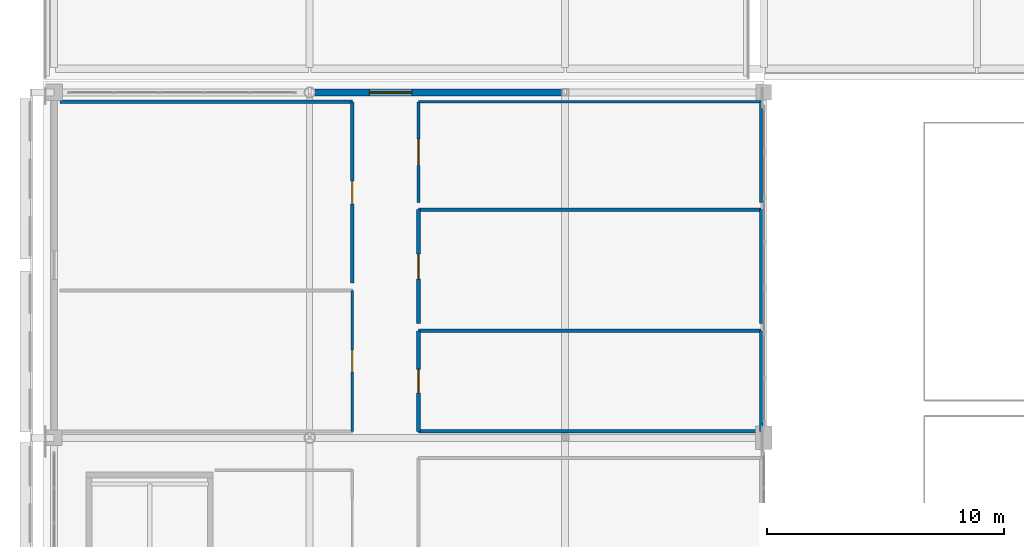
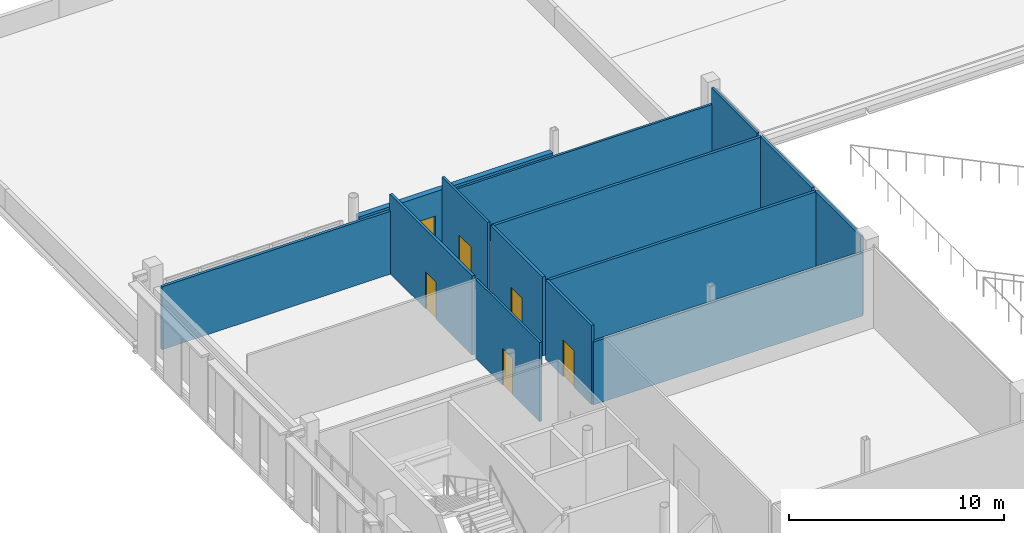
# One storey, part 68 of 104: 14 walls, 6 doors, 6 openings.
"""IFC4 building model written with IfcOpenShell, lengths in metres."""

import ifcopenshell
import ifcopenshell.guid

model = None  # the IFC model being written
_history = None  # IfcOwnerHistory: only IFC2X3 demands one
_inside = {}  # id of a spatial element -> (the spatial element, [elements in it])
_under = {}  # id of a project, library or spatial element -> (it, [spatial elements below it])
_declared = {}  # id of a project -> (the project, [libraries it declares])
_typed = {}  # id of a type object -> (the type object, [elements of that type])
_made_of = {}  # id of a material, layer set ... -> (it, [elements and type objects made of it])


def new_model(schema):
    """Start an empty IFC model of exactly this schema.

    Asked for "IFC4X3", IfcOpenShell would pick the latest addendum, in which some entities
    have other attributes; the version numbers below select the first issue.
    IFC2X3 requires an IfcOwnerHistory on every rooted entity: one is made here for all.
    """
    global model, _history
    if schema == "IFC4X3":
        model = ifcopenshell.file(schema_version=(4, 3, 0, 0))
    else:
        model = ifcopenshell.file(schema=schema)
    _inside.clear()
    _under.clear()
    _declared.clear()
    _typed.clear()
    _made_of.clear()
    _history = None
    if model.schema == "IFC2X3":
        org = make("IfcOrganization", Name="unknown")
        user = make(
            "IfcPersonAndOrganization",
            ThePerson=make("IfcPerson", FamilyName="unknown"),
            TheOrganization=org,
        )
        app = make(
            "IfcApplication",
            ApplicationDeveloper=org,
            Version="unknown",
            ApplicationFullName="unknown",
            ApplicationIdentifier="unknown",
        )
        _history = make(
            "IfcOwnerHistory",
            OwningUser=user,
            OwningApplication=app,
            ChangeAction="ADDED",
            CreationDate=0,
        )
    return model


def make(cls, **values):
    """One entity of the class cls with the attributes given. An attribute that is None is left unset."""
    return model.create_entity(
        cls, **{name: value for name, value in values.items() if value is not None}
    )


def rooted(cls, **values):
    """An entity with a GlobalId (a new one), such as an element, a storey or a relation."""
    return make(cls, GlobalId=ifcopenshell.guid.new(), OwnerHistory=_history, **values)


def si_unit(unit_type, name, prefix=None):
    """IfcSIUnit, for example si_unit("LENGTHUNIT", "METRE", prefix="MILLI")."""
    return make("IfcSIUnit", UnitType=unit_type, Prefix=prefix, Name=name)


def assignment(units):
    """IfcUnitAssignment: the units of a project."""
    return None if units is None else make("IfcUnitAssignment", Units=units)


def point(xyz):
    """IfcCartesianPoint."""
    return None if xyz is None else make("IfcCartesianPoint", Coordinates=xyz)


def direction(xyz):
    """IfcDirection."""
    return None if xyz is None else make("IfcDirection", DirectionRatios=xyz)


def frame(location, z_axis=None, x_axis=None):
    """IfcAxis2Placement3D, a coordinate frame: its origin and axes. An axis left out is left unset."""
    return make(
        "IfcAxis2Placement3D",
        Location=point(location),
        Axis=direction(z_axis),
        RefDirection=direction(x_axis),
    )


def frame_2d(location, x_axis=None):
    """IfcAxis2Placement2D, a coordinate frame in the plane: its origin and x axis."""
    return make(
        "IfcAxis2Placement2D", Location=point(location), RefDirection=direction(x_axis)
    )


def origin():
    """The frame at (0, 0, 0) with its axes left unset."""
    return frame((0.0, 0.0, 0.0))


def place(relative_to, where):
    """IfcLocalPlacement: puts the frame where relative to a parent placement (None: the world)."""
    return make(
        "IfcLocalPlacement", PlacementRelTo=relative_to, RelativePlacement=where
    )


def context(
    kind, dimensions, precision=None, world=None, true_north=None, identifier=None
):
    """IfcGeometricRepresentationContext, for example the 3D "Model" context."""
    return make(
        "IfcGeometricRepresentationContext",
        ContextIdentifier=identifier,
        ContextType=kind,
        CoordinateSpaceDimension=dimensions,
        Precision=precision,
        WorldCoordinateSystem=world,
        TrueNorth=true_north,
    )


def subcontext(parent, identifier, kind, view, scale=None):
    """IfcGeometricRepresentationSubContext, for example "Body" below "Model"."""
    return make(
        "IfcGeometricRepresentationSubContext",
        ContextIdentifier=identifier,
        ContextType=kind,
        ParentContext=parent,
        TargetScale=scale,
        TargetView=view,
    )


def project(units=None, contexts=None):
    """IfcProject with its units and contexts."""
    return rooted(
        "IfcProject",
        Name="project",
        RepresentationContexts=contexts,
        UnitsInContext=assignment(units),
    )


def spatial(cls, under=None, at=None, **own):
    """A site, building, storey or space (cls), placed at a placement, below another one or the project."""
    s = rooted(cls, ObjectPlacement=at, **own)
    if under is not None:
        _under.setdefault(under.id(), (under, []))[1].append(s)
    return s


def profile(cls, at=None, kind="AREA", **sizes):
    """A parametric profile (cls). Its sizes go by their IFC names, for example OverallWidth=200.0."""
    return make(cls, ProfileType=kind, Position=at, **sizes)


def rectangle(**sizes):
    """IfcRectangleProfileDef."""
    return profile("IfcRectangleProfileDef", **sizes)


def extrude(swept, where, along, depth):
    """IfcExtrudedAreaSolid: the profile swept, set in the frame where, extruded along a direction by depth."""
    return make(
        "IfcExtrudedAreaSolid",
        SweptArea=swept,
        Position=where,
        ExtrudedDirection=direction(along),
        Depth=depth,
    )


def shape(context_of_items, identifier, shape_type, items):
    """IfcShapeRepresentation: the items that make up one representation, for example the "Body"."""
    return make(
        "IfcShapeRepresentation",
        ContextOfItems=context_of_items,
        RepresentationIdentifier=identifier,
        RepresentationType=shape_type,
        Items=items,
    )


def material(Name=None, Category=None):
    """IfcMaterial."""
    return make("IfcMaterial", Name=Name, Category=Category)


def layer(
    of_material, thickness, ventilated=None, Name=None, Category=None, Priority=None
):
    """IfcMaterialLayer: one layer of a wall or slab, of a material (None: an air gap)."""
    return make(
        "IfcMaterialLayer",
        Material=of_material,
        LayerThickness=thickness,
        IsVentilated=ventilated,
        Name=Name,
        Category=Category,
        Priority=Priority,
    )


def layer_set(layers, Name=None):
    """IfcMaterialLayerSet."""
    return make("IfcMaterialLayerSet", MaterialLayers=layers, LayerSetName=Name)


def made_of(thing, what):
    """Note that an element or type object is made of a material, layer set ...; save() writes the relation."""
    if what is not None:
        _made_of.setdefault(what.id(), (what, []))[1].append(thing)
    return thing


def type_object(cls, material=None, **own):
    """A type object (cls), such as IfcWallType, which elements share."""
    return made_of(rooted(cls, **own), material)


def element(
    cls,
    number,
    at=None,
    inside=None,
    cuts=None,
    type_object=None,
    material=None,
    context=None,
    identifier="Body",
    shape_type=None,
    held_by="IfcProductDefinitionShape",
    body=None,
    shapes=None,
    **own,
):
    """One element of the class cls, such as IfcWall. Its Tag is "e" and its number.

    at: its placement. inside: the storey or other place that contains it. cuts: it is an
    opening in that element (IfcRelVoidsElement). A single representation is given by context,
    identifier, shape_type and body (its items); several are given by shapes. held_by: the class
    of the entity that holds the representations. save() writes the other relations.
    """
    e = rooted(cls, Tag="e%d" % number, ObjectPlacement=at, **own)
    if body is not None:
        shapes = [shape(context, identifier, shape_type, body)]
    if shapes is not None:
        e.Representation = make(held_by, Representations=shapes)
    if inside is not None:
        _inside.setdefault(inside.id(), (inside, []))[1].append(e)
    if cuts is not None:
        rooted(
            "IfcRelVoidsElement", RelatingBuildingElement=cuts, RelatedOpeningElement=e
        )
    if type_object is not None:
        _typed.setdefault(type_object.id(), (type_object, []))[1].append(e)
    return made_of(e, material)


def fill(opening, filler):
    """IfcRelFillsElement: the door or window that sits in an opening."""
    return rooted(
        "IfcRelFillsElement",
        RelatingOpeningElement=opening,
        RelatedBuildingElement=filler,
    )


def aggregate(whole, parts):
    """IfcRelAggregates: a whole, such as a stair, and the parts it consists of."""
    return rooted("IfcRelAggregates", RelatingObject=whole, RelatedObjects=parts)


def save(model, path):
    """Write the relations noted so far, then the file.

    IfcRelAggregates (storeys below a building ...), IfcRelContainedInSpatialStructure (elements
    in a storey), IfcRelDefinesByType, IfcRelAssociatesMaterial and IfcRelDeclares: one each for
    every whole, place, type object, material and project.
    """
    for whole, parts in _under.values():
        aggregate(whole, parts)
    for where, things in _inside.values():
        rooted(
            "IfcRelContainedInSpatialStructure",
            RelatedElements=things,
            RelatingStructure=where,
        )
    for kind, things in _typed.values():
        rooted("IfcRelDefinesByType", RelatedObjects=things, RelatingType=kind)
    for what, things in _made_of.values():
        rooted("IfcRelAssociatesMaterial", RelatedObjects=things, RelatingMaterial=what)
    for by, libraries in _declared.values():
        rooted("IfcRelDeclares", RelatingContext=by, RelatedDefinitions=libraries)
    model.write(path)


model = new_model("IFC4")

# Units and contexts
model_context = context("Model", 3, precision=1e-05, world=origin(), true_north=direction((0.0, 1.0)))
body_context = subcontext(model_context, "Body", "Model", "MODEL_VIEW")
ifc_project = project(units=[si_unit("LENGTHUNIT", "METRE"), si_unit("AREAUNIT", "SQUARE_METRE"), si_unit("VOLUMEUNIT", "CUBIC_METRE"), si_unit("PLANEANGLEUNIT", "RADIAN"), si_unit("MASSUNIT", "GRAM", prefix="KILO")], contexts=[model_context])

# Site, building, storey
site_placement = place(None, origin())
site = spatial("IfcSite", under=ifc_project, at=site_placement, CompositionType="ELEMENT")
building_placement = place(site_placement, origin())
building = spatial("IfcBuilding", under=site, at=building_placement, Name="Koshinbarg Plaza Stadium", CompositionType="ELEMENT")
storey_placement = place(building_placement, frame((0.0, 0.0, 19.800048828125)))
storey = spatial("IfcBuildingStorey", under=building, at=storey_placement, Name="L04", CompositionType="ELEMENT", Elevation=19.800048828125)

# Wall, opening, door
ifc_material_1 = material(Name="Off-white mineral plaster insulated wall", Category="masonry")
ifc_layer_1 = layer(ifc_material_1, 0.300048828125)
ifc_layer_set_1 = layer_set([ifc_layer_1], Name="Off-white mineral plaster insulated wall")
wall_type_1 = type_object("IfcWallType", Name="WL-EXT-300", PredefinedType="SOLIDWALL", material=ifc_layer_set_1)
wall_1_placement = place(storey_placement, frame((35.62353515625, 126.5, 0.0), z_axis=(0.0, 0.0, 1.0), x_axis=(1.0, 0.0, 0.0)))
wall_1 = element("IfcWall", 1, at=wall_1_placement, inside=storey, type_object=wall_type_1, Name="L04 exterior envelope wall EWL-L04-0209", PredefinedType="SOLIDWALL", context=body_context, shape_type="SweptSolid", body=[
    extrude(rectangle(XDim=10.431396484375, YDim=0.300048828125, at=frame_2d((5.2158203125, 0.0))), origin(), (0.0, 0.0, 1.0), 3.579833984375),
])
opening_1_placement = place(wall_1_placement, frame((2.300048828125, 0.0, 0.0)))
opening_1 = element("IfcOpeningElement", 2, at=opening_1_placement, cuts=wall_1, Name="Opening D-0058", PredefinedType="OPENING", context=body_context, shape_type="SweptSolid", body=[
    extrude(rectangle(XDim=1.800048828125, YDim=2.199951171875, at=frame_2d((0.89990234375, 1.10009765625))), frame((0.0, 0.159912109375, 0.0), z_axis=(0.0, -1.0, 0.0), x_axis=(1.0, 0.0, 0.0)), (0.0, 0.0, 1.0), 0.320068359375),
])
ifc_material_2 = material(Name="Glazed aluminium roof-garden access door", Category="aluminium")
door_type_1 = type_object("IfcDoorType", Name="DR-TERR-1800", OperationType="NOTDEFINED", PredefinedType="DOOR", material=ifc_material_2)
door_1_placement = place(opening_1_placement, origin())
door_1 = element("IfcDoor", 3, at=door_1_placement, inside=storey, type_object=door_type_1, Name="L04 North planted roof garden terrace door", OperationType="DOUBLE_DOOR_SINGLE_SWING", OverallHeight=2.199951171875, OverallWidth=1.800048828125, PredefinedType="DOOR", context=body_context, shape_type="SweptSolid", body=[
    extrude(rectangle(XDim=1.800048828125, YDim=2.199951171875, at=frame_2d((0.89990234375, 1.10009765625))), frame((0.0, 0.02490234375, 0.0), z_axis=(0.0, -1.0, 0.0), x_axis=(1.0, 0.0, 0.0)), (0.0, 0.0, 1.0), 0.050048828125),
])
fill(opening_1, door_1)

ifc_material_3 = material(Name="Gypsum board metal-stud acoustic partition")
ifc_layer_2 = layer(ifc_material_3, 0.1201171875)
ifc_layer_set_2 = layer_set([ifc_layer_2], Name="Gypsum board metal-stud acoustic partition")
wall_type_2 = type_object("IfcWallType", Name="WL-PART-120", PredefinedType="PARTITIONING", material=ifc_layer_set_2)
wall_2_placement = place(storey_placement, frame((37.199951171875, 112.169921875, 0.0), z_axis=(0.0, 0.0, 1.0), x_axis=(0.0, 1.0, 0.0)))
wall_2 = element("IfcWall", 4, at=wall_2_placement, inside=storey, type_object=wall_type_2, Name="L04 interior partition L04-59-east IWL-L04-2150", PredefinedType="PARTITIONING", context=body_context, shape_type="SweptSolid", body=[
    extrude(rectangle(XDim=5.96337890625, YDim=0.1201171875, at=frame_2d((2.981689453125, 0.0))), origin(), (0.0, 0.0, 1.0), 4.5),
])
opening_2_placement = place(wall_2_placement, frame((2.521728515625, 0.0, 0.0)))
opening_2 = element("IfcOpeningElement", 5, at=opening_2_placement, cuts=wall_2, Name="Opening D-0742", PredefinedType="OPENING", context=body_context, shape_type="SweptSolid", body=[
    extrude(rectangle(XDim=0.919921875, YDim=2.10009765625, at=frame_2d((0.4599609375, 1.050048828125))), frame((0.0, 0.070068359375, 0.0), z_axis=(0.0, -1.0, 0.0), x_axis=(1.0, 0.0, 0.0)), (0.0, 0.0, 1.0), 0.14013671875),
])
ifc_material_4 = material(Name="Solid-core oak veneer acoustic door")
door_type_2 = type_object("IfcDoorType", Name="DR-INT-0920x2100", OperationType="NOTDEFINED", PredefinedType="DOOR", material=ifc_material_4)
door_2_placement = place(opening_2_placement, origin())
door_2 = element("IfcDoor", 6, at=door_2_placement, inside=storey, type_object=door_type_2, Name="L04 West Skybox Salon door D-0742", OperationType="SINGLE_SWING_RIGHT", OverallHeight=2.10009765625, OverallWidth=0.919921875, PredefinedType="DOOR", context=body_context, shape_type="SweptSolid", body=[
    extrude(rectangle(XDim=0.919921875, YDim=2.10009765625, at=frame_2d((0.4599609375, 1.050048828125))), frame((0.0, 0.02490234375, 0.0), z_axis=(0.0, -1.0, 0.0), x_axis=(1.0, 0.0, 0.0)), (0.0, 0.0, 1.0), 0.050048828125),
])
fill(opening_2, door_2)

# Walls
wall_3_placement = place(storey_placement, frame((54.47998046875, 121.849853515625, 0.0), z_axis=(0.0, 0.0, 1.0), x_axis=(0.0, 1.0, 0.0)))
element("IfcWall", 7, at=wall_3_placement, inside=storey, type_object=wall_type_2, Name="L04 interior partition L04-63-east IWL-L04-2161", PredefinedType="PARTITIONING", context=body_context, shape_type="SweptSolid", body=[
    extrude(rectangle(XDim=4.255126953125, YDim=0.1201171875, at=frame_2d((2.12744140625, 0.0))), origin(), (0.0, 0.0, 1.0), 4.5),
])
wall_4_placement = place(storey_placement, frame((54.47998046875, 126.10498046875, 0.0), z_axis=(0.0, 0.0, 1.0), x_axis=(-1.0, 0.0, 0.0)))
element("IfcWall", 8, at=wall_4_placement, inside=storey, type_object=wall_type_2, Name="L04 interior partition L04-63-north IWL-L04-2162", PredefinedType="PARTITIONING", context=body_context, shape_type="SweptSolid", body=[
    extrude(rectangle(XDim=14.47998046875, YDim=0.1201171875, at=frame_2d((7.239990234375, 0.0))), origin(), (0.0, 0.0, 1.0), 3.579833984375),
])

# Wall, opening, door
wall_5_placement = place(storey_placement, frame((40.0, 126.10498046875, 0.0), z_axis=(0.0, 0.0, 1.0), x_axis=(0.0, -1.0, 0.0)))
wall_5 = element("IfcWall", 9, at=wall_5_placement, inside=storey, type_object=wall_type_2, Name="L04 interior partition L04-63-west IWL-L04-2163", PredefinedType="PARTITIONING", context=body_context, shape_type="SweptSolid", body=[
    extrude(rectangle(XDim=4.255126953125, YDim=0.1201171875, at=frame_2d((2.12744140625, 0.0))), origin(), (0.0, 0.0, 1.0), 4.5),
])
opening_3_placement = place(wall_5_placement, frame((1.567626953125, 0.0, 0.0)))
opening_3 = element("IfcOpeningElement", 10, at=opening_3_placement, cuts=wall_5, Name="Opening D-0746", PredefinedType="OPENING", context=body_context, shape_type="SweptSolid", body=[
    extrude(rectangle(XDim=1.1201171875, YDim=2.14990234375, at=frame_2d((0.56005859375, 1.074951171875))), frame((0.0, 0.070068359375, 0.0), z_axis=(0.0, -1.0, 0.0), x_axis=(1.0, 0.0, 0.0)), (0.0, 0.0, 1.0), 0.14013671875),
])
ifc_material_5 = material(Name="Acoustic timber broadcast studio door", Category="wood")
door_type_3 = type_object("IfcDoorType", Name="DR-INT-1120x2150", OperationType="NOTDEFINED", PredefinedType="DOOR", material=ifc_material_5)
door_3_placement = place(opening_3_placement, origin())
door_3 = element("IfcDoor", 11, at=door_3_placement, inside=storey, type_object=door_type_3, Name="L04 International Press Lounge door D-0746", OperationType="SINGLE_SWING_RIGHT", OverallHeight=2.14990234375, OverallWidth=1.1201171875, PredefinedType="DOOR", context=body_context, shape_type="SweptSolid", body=[
    extrude(rectangle(XDim=1.1201171875, YDim=2.14990234375, at=frame_2d((0.56005859375, 1.074951171875))), frame((0.0, 0.02490234375, 0.0), z_axis=(0.0, -1.0, 0.0), x_axis=(1.0, 0.0, 0.0)), (0.0, 0.0, 1.0), 0.050048828125),
])
fill(opening_3, door_3)

ifc_material_6 = material(Name="Double-layer gypsum acoustic suite partition")
ifc_layer_3 = layer(ifc_material_6, 0.14990234375)
ifc_layer_set_3 = layer_set([ifc_layer_3], Name="Double-layer gypsum acoustic suite partition")
wall_type_3 = type_object("IfcWallType", Name="WL-PART-150", PredefinedType="PARTITIONING", material=ifc_layer_set_3)
wall_6_placement = place(storey_placement, frame((37.199951171875, 118.433349609375, 0.0), z_axis=(0.0, 0.0, 1.0), x_axis=(0.0, 1.0, 0.0)))
wall_6 = element("IfcWall", 12, at=wall_6_placement, inside=storey, type_object=wall_type_3, Name="L04 interior partition L04-60-east IWL-L04-2152", PredefinedType="PARTITIONING", context=body_context, shape_type="SweptSolid", body=[
    extrude(rectangle(XDim=7.671630859375, YDim=0.14990234375, at=frame_2d((3.8359375, 0.0))), origin(), (0.0, 0.0, 1.0), 4.5),
])
opening_4_placement = place(wall_6_placement, frame((3.355712890625, 0.0, 0.0)))
opening_4 = element("IfcOpeningElement", 13, at=opening_4_placement, cuts=wall_6, Name="Opening D-0743", PredefinedType="OPENING", context=body_context, shape_type="SweptSolid", body=[
    extrude(rectangle(XDim=0.9599609375, YDim=2.10009765625, at=frame_2d((0.47998046875, 1.050048828125))), frame((0.0, 0.0849609375, 0.0), z_axis=(0.0, -1.0, 0.0), x_axis=(1.0, 0.0, 0.0)), (0.0, 0.0, 1.0), 0.169921875),
])
door_type_4 = type_object("IfcDoorType", Name="DR-INT-0960x2100", OperationType="NOTDEFINED", PredefinedType="DOOR", material=ifc_material_4)
door_4_placement = place(opening_4_placement, origin())
door_4 = element("IfcDoor", 14, at=door_4_placement, inside=storey, type_object=door_type_4, Name="L04 Commentary Production Studio door D-0743", OperationType="SINGLE_SWING_LEFT", OverallHeight=2.10009765625, OverallWidth=0.9599609375, PredefinedType="DOOR", context=body_context, shape_type="SweptSolid", body=[
    extrude(rectangle(XDim=0.9599609375, YDim=2.10009765625, at=frame_2d((0.47998046875, 1.050048828125))), frame((0.0, 0.02490234375, 0.0), z_axis=(0.0, -1.0, 0.0), x_axis=(1.0, 0.0, 0.0)), (0.0, 0.0, 1.0), 0.050048828125),
])
fill(opening_4, door_4)

# Walls
wall_7_placement = place(storey_placement, frame((37.199951171875, 126.10498046875, 0.0), z_axis=(0.0, 0.0, 1.0), x_axis=(-1.0, 0.0, 0.0)))
element("IfcWall", 15, at=wall_7_placement, inside=storey, type_object=wall_type_3, Name="L04 interior partition L04-60-north IWL-L04-2153", PredefinedType="PARTITIONING", context=body_context, shape_type="SweptSolid", body=[
    extrude(rectangle(XDim=12.35498046875, YDim=0.14990234375, at=frame_2d((6.177490234375, 0.0))), origin(), (0.0, 0.0, 1.0), 3.579833984375),
])
wall_8_placement = place(storey_placement, frame((40.0, 112.169921875, 0.0), z_axis=(0.0, 0.0, 1.0), x_axis=(1.0, 0.0, 0.0)))
element("IfcWall", 16, at=wall_8_placement, inside=storey, type_object=wall_type_3, Name="L04 interior partition L04-61-south IWL-L04-2154", PredefinedType="PARTITIONING", context=body_context, shape_type="SweptSolid", body=[
    extrude(rectangle(XDim=14.47998046875, YDim=0.14990234375, at=frame_2d((7.239990234375, 0.0))), origin(), (0.0, 0.0, 1.0), 3.579833984375),
])
wall_9_placement = place(storey_placement, frame((54.47998046875, 112.169921875, 0.0), z_axis=(0.0, 0.0, 1.0), x_axis=(0.0, 1.0, 0.0)))
element("IfcWall", 17, at=wall_9_placement, inside=storey, type_object=wall_type_3, Name="L04 interior partition L04-61-east IWL-L04-2155", PredefinedType="PARTITIONING", context=body_context, shape_type="SweptSolid", body=[
    extrude(rectangle(XDim=4.25537109375, YDim=0.14990234375, at=frame_2d((2.127685546875, 0.0))), origin(), (0.0, 0.0, 1.0), 4.5),
])
wall_10_placement = place(storey_placement, frame((54.47998046875, 116.42529296875, 0.0), z_axis=(0.0, 0.0, 1.0), x_axis=(-1.0, 0.0, 0.0)))
element("IfcWall", 18, at=wall_10_placement, inside=storey, type_object=wall_type_3, Name="L04 interior partition L04-61-north IWL-L04-2156", PredefinedType="PARTITIONING", context=body_context, shape_type="SweptSolid", body=[
    extrude(rectangle(XDim=14.47998046875, YDim=0.14990234375, at=frame_2d((7.239990234375, 0.0))), origin(), (0.0, 0.0, 1.0), 4.5),
])

# Wall, opening, door
wall_11_placement = place(storey_placement, frame((40.0, 116.42529296875, 0.0), z_axis=(0.0, 0.0, 1.0), x_axis=(0.0, -1.0, 0.0)))
wall_11 = element("IfcWall", 19, at=wall_11_placement, inside=storey, type_object=wall_type_3, Name="L04 interior partition L04-61-west IWL-L04-2157", PredefinedType="PARTITIONING", context=body_context, shape_type="SweptSolid", body=[
    extrude(rectangle(XDim=4.25537109375, YDim=0.14990234375, at=frame_2d((2.127685546875, 0.0))), origin(), (0.0, 0.0, 1.0), 4.5),
])
opening_5_placement = place(wall_11_placement, frame((1.627685546875, 0.0, 0.0)))
opening_5 = element("IfcOpeningElement", 20, at=opening_5_placement, cuts=wall_11, Name="Opening D-0744", PredefinedType="OPENING", context=body_context, shape_type="SweptSolid", body=[
    extrude(rectangle(XDim=1.0, YDim=2.10009765625, at=frame_2d((0.5, 1.050048828125))), frame((0.0, 0.0849609375, 0.0), z_axis=(0.0, -1.0, 0.0), x_axis=(1.0, 0.0, 0.0)), (0.0, 0.0, 1.0), 0.169921875),
])
ifc_material_7 = material(Name="Solid-core laminate accessible WC door")
door_type_5 = type_object("IfcDoorType", Name="DR-INT-1000x2100", OperationType="NOTDEFINED", PredefinedType="DOOR", material=ifc_material_7)
door_5_placement = place(opening_5_placement, origin())
door_5 = element("IfcDoor", 21, at=door_5_placement, inside=storey, type_object=door_type_5, Name="L04 Commentary Production Studio door D-0744", OperationType="SINGLE_SWING_RIGHT", OverallHeight=2.10009765625, OverallWidth=1.0, PredefinedType="DOOR", context=body_context, shape_type="SweptSolid", body=[
    extrude(rectangle(XDim=1.0, YDim=2.10009765625, at=frame_2d((0.5, 1.050048828125))), frame((0.0, 0.02490234375, 0.0), z_axis=(0.0, -1.0, 0.0), x_axis=(1.0, 0.0, 0.0)), (0.0, 0.0, 1.0), 0.050048828125),
])
fill(opening_5, door_5)

# Walls
wall_12_placement = place(storey_placement, frame((54.47998046875, 116.72509765625, 0.0), z_axis=(0.0, 0.0, 1.0), x_axis=(0.0, 1.0, 0.0)))
element("IfcWall", 22, at=wall_12_placement, inside=storey, type_object=wall_type_3, Name="L04 interior partition L04-62-east IWL-L04-2158", PredefinedType="PARTITIONING", context=body_context, shape_type="SweptSolid", body=[
    extrude(rectangle(XDim=4.82470703125, YDim=0.14990234375, at=frame_2d((2.412353515625, 0.0))), origin(), (0.0, 0.0, 1.0), 4.5),
])
wall_13_placement = place(storey_placement, frame((54.47998046875, 121.5498046875, 0.0), z_axis=(0.0, 0.0, 1.0), x_axis=(-1.0, 0.0, 0.0)))
element("IfcWall", 23, at=wall_13_placement, inside=storey, type_object=wall_type_3, Name="L04 interior partition L04-62-north IWL-L04-2159", PredefinedType="PARTITIONING", context=body_context, shape_type="SweptSolid", body=[
    extrude(rectangle(XDim=14.47998046875, YDim=0.14990234375, at=frame_2d((7.239990234375, 0.0))), origin(), (0.0, 0.0, 1.0), 4.5),
])

# Wall, opening, door
wall_14_placement = place(storey_placement, frame((40.0, 121.5498046875, 0.0), z_axis=(0.0, 0.0, 1.0), x_axis=(0.0, -1.0, 0.0)))
wall_14 = element("IfcWall", 24, at=wall_14_placement, inside=storey, type_object=wall_type_3, Name="L04 interior partition L04-62-west IWL-L04-2160", PredefinedType="PARTITIONING", context=body_context, shape_type="SweptSolid", body=[
    extrude(rectangle(XDim=4.82470703125, YDim=0.14990234375, at=frame_2d((2.412353515625, 0.0))), origin(), (0.0, 0.0, 1.0), 4.5),
])
opening_6_placement = place(wall_14_placement, frame((1.88720703125, 0.0, 0.0)))
opening_6 = element("IfcOpeningElement", 25, at=opening_6_placement, cuts=wall_14, Name="Opening D-0745", PredefinedType="OPENING", context=body_context, shape_type="SweptSolid", body=[
    extrude(rectangle(XDim=1.050048828125, YDim=2.14990234375, at=frame_2d((0.52490234375, 1.074951171875))), frame((0.0, 0.0849609375, 0.0), z_axis=(0.0, -1.0, 0.0), x_axis=(1.0, 0.0, 0.0)), (0.0, 0.0, 1.0), 0.169921875),
])
ifc_material_8 = material(Name="Solid-core oak suite entrance door")
door_type_6 = type_object("IfcDoorType", Name="DR-INT-1050x2150", OperationType="NOTDEFINED", PredefinedType="DOOR", material=ifc_material_8)
door_6_placement = place(opening_6_placement, origin())
door_6 = element("IfcDoor", 26, at=door_6_placement, inside=storey, type_object=door_type_6, Name="L04 Television Broadcast Studio door D-0745", OperationType="SINGLE_SWING_LEFT", OverallHeight=2.14990234375, OverallWidth=1.050048828125, PredefinedType="DOOR", context=body_context, shape_type="SweptSolid", body=[
    extrude(rectangle(XDim=1.050048828125, YDim=2.14990234375, at=frame_2d((0.52490234375, 1.074951171875))), frame((0.0, 0.02490234375, 0.0), z_axis=(0.0, -1.0, 0.0), x_axis=(1.0, 0.0, 0.0)), (0.0, 0.0, 1.0), 0.050048828125),
])
fill(opening_6, door_6)

save(model, "model.ifc")
